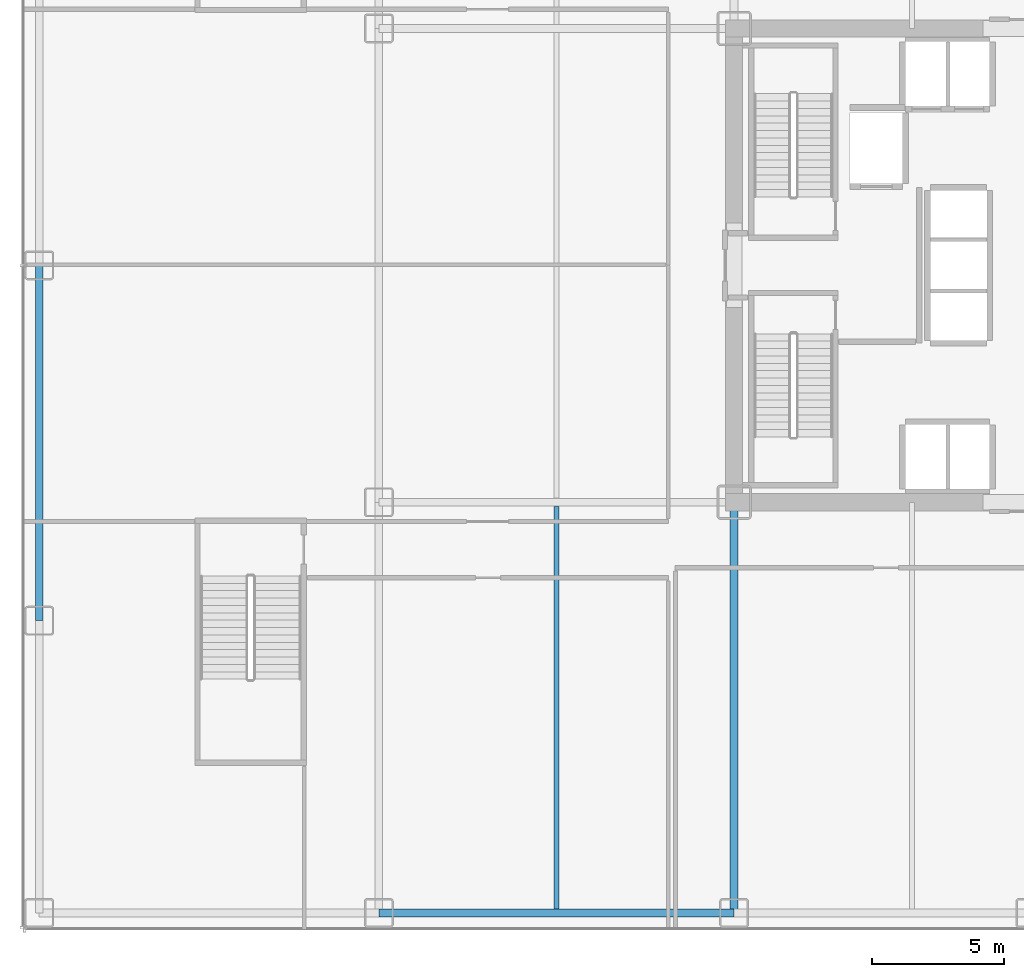
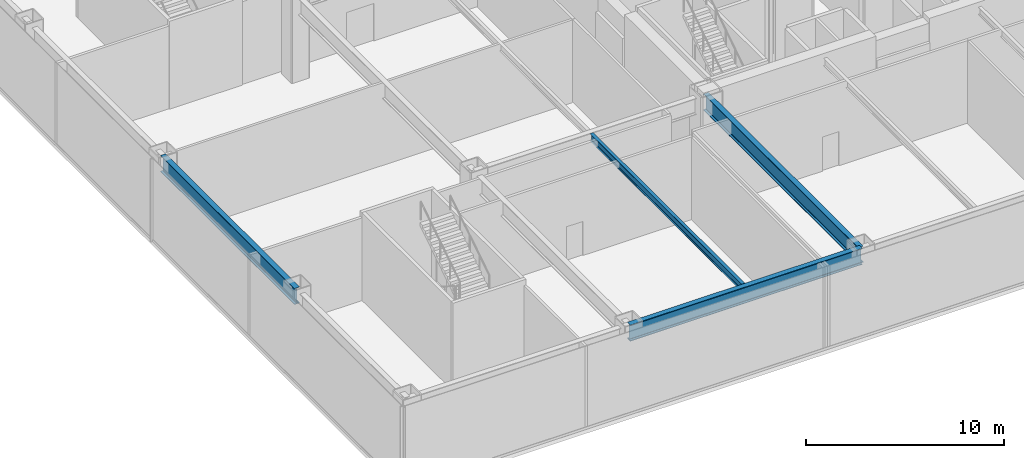
# One storey, part 3 of 24: 4 beams.
"""IFC4 building model written with IfcOpenShell, lengths in metres."""

from ifc_helpers import new_model, si_unit, direction, frame, origin, origin_2d, place, context, subcontext, project, spatial, i_section, extrude, source, transform, mapped, material, material_profile, profile_set, type_object, element, save


model = new_model("IFC4")

# Units and contexts
model_context = context("Model", 3, precision=1e-05, world=origin(), true_north=direction((0.0, 1.0)))
body_context = subcontext(model_context, "Body", "Model", "MODEL_VIEW")
ifc_project = project(units=[si_unit("LENGTHUNIT", "METRE"), si_unit("AREAUNIT", "SQUARE_METRE"), si_unit("VOLUMEUNIT", "CUBIC_METRE"), si_unit("PLANEANGLEUNIT", "RADIAN"), si_unit("MASSUNIT", "GRAM", prefix="KILO")], contexts=[model_context])

# Site, building, storey
site_placement = place(None, origin())
site = spatial("IfcSite", under=ifc_project, at=site_placement, CompositionType="ELEMENT")
building_placement = place(site_placement, origin())
building = spatial("IfcBuilding", under=site, at=building_placement, Name="Nefas-Gora Pilgrimage Tower", CompositionType="ELEMENT")
storey_placement = place(building_placement, frame((0.0, 0.0, 16.800048828125)))
storey = spatial("IfcBuildingStorey", under=building, at=storey_placement, Name="L03", CompositionType="ELEMENT", Elevation=16.800048828125)

# Beams
ifc_material_1 = material(Name="Steel S355", Category="steel")
ifc_material_profile_1 = material_profile(ifc_material_1, i_section(OverallWidth=0.18994140625, OverallDepth=0.449951171875, WebThickness=0.009521484375, FlangeThickness=0.0146484375, FilletRadius=0.02099609375, at=origin_2d()), Name="IPE 450")
ifc_profile_set_1 = profile_set([ifc_material_profile_1], Name="Steel S355")
beam_type_1 = type_object("IfcBeamType", Name="BM-JST-IPE450", PredefinedType="JOIST", material=ifc_profile_set_1)
shared_shape_1 = source(origin(), body_context, "Body", "SweptSolid", [
    extrude(i_section(OverallWidth=0.18994140625, OverallDepth=0.449951171875, WebThickness=0.009521484375, FlangeThickness=0.0146484375, FilletRadius=0.02099609375, at=origin_2d()), origin(), (0.0, 0.0, 1.0), 15.2880859375),
])
beam_1_placement = place(storey_placement, frame((-18.0, -24.444091796875, 4.875), z_axis=(0.0, 1.0, 0.0), x_axis=(-1.0, 0.0, 0.0)))
element("IfcBeam", 1, at=beam_1_placement, inside=storey, type_object=beam_type_1, Name="L03 J-01 beam", PredefinedType="JOIST", context=body_context, shape_type="MappedRepresentation", body=[
    mapped(shared_shape_1, transform((0.0, 0.0, 0.0), x_axis=(1.0, 0.0, 0.0), y_axis=(0.0, 1.0, 0.0), z_axis=(0.0, 0.0, 1.0), scale=1.0)),
])
ifc_material_2 = material(Name="Steel S460", Category="steel")
ifc_material_profile_2 = material_profile(ifc_material_2, i_section(OverallWidth=0.300048828125, OverallDepth=1.0, WebThickness=0.01904296875, FlangeThickness=0.035888671875, FilletRadius=0.030029296875, at=origin_2d()), Name="HEB 1000")
ifc_profile_set_2 = profile_set([ifc_material_profile_2], Name="Steel S460")
beam_type_2 = type_object("IfcBeamType", Name="BM-POD-HEB1000E", PredefinedType="BEAM", material=ifc_profile_set_2)
shared_shape_2 = source(origin(), body_context, "Body", "SweptSolid", [
    extrude(i_section(OverallWidth=0.300048828125, OverallDepth=1.0, WebThickness=0.01904296875, FlangeThickness=0.035888671875, FilletRadius=0.030029296875, at=origin_2d()), origin(), (0.0, 0.0, 1.0), 13.5),
])
for number, where, z_axis, x_axis, name in (
    (2, (-24.75, -24.60009765625, 4.599853515625), (1.0, 0.0, 0.0), (0.0, 1.0, 0.0), "L03 PG-01E beam"),
    (3, (-37.64990234375, -13.5, 4.599853515625), (0.0, 1.0, 0.0), (-1.0, 0.0, 0.0), "L03 PG-01E beam"),
):
    element("IfcBeam", number, at=place(storey_placement, frame(where, z_axis=z_axis, x_axis=x_axis)), inside=storey, type_object=beam_type_2, Name=name, PredefinedType="BEAM", context=body_context, shape_type="MappedRepresentation", body=[
        mapped(shared_shape_2, transform((0.0, 0.0, 0.0), x_axis=(1.0, 0.0, 0.0), y_axis=(0.0, 1.0, 0.0), z_axis=(0.0, 0.0, 1.0), scale=1.0)),
    ])
ifc_material_profile_3 = material_profile(ifc_material_2, i_section(OverallWidth=0.300048828125, OverallDepth=1.0, WebThickness=0.01904296875, FlangeThickness=0.035888671875, FilletRadius=0.030029296875, at=origin_2d()), Name="HEB 1000")
ifc_profile_set_3 = profile_set([ifc_material_profile_3], Name="Steel S460")
beam_type_3 = type_object("IfcBeamType", Name="BM-POD-HEB1000", PredefinedType="BEAM", material=ifc_profile_set_3)
shared_shape_3 = source(origin(), body_context, "Body", "SweptSolid", [
    extrude(i_section(OverallWidth=0.300048828125, OverallDepth=1.0, WebThickness=0.01904296875, FlangeThickness=0.035888671875, FilletRadius=0.030029296875, at=origin_2d()), origin(), (0.0, 0.0, 1.0), 15.60009765625),
])
beam_2_placement = place(storey_placement, frame((-11.25, -24.60009765625, 4.599853515625), z_axis=(0.0, 1.0, 0.0), x_axis=(-1.0, 0.0, 0.0)))
element("IfcBeam", 4, at=beam_2_placement, inside=storey, type_object=beam_type_3, Name="L03 PG-01 beam", PredefinedType="BEAM", context=body_context, shape_type="MappedRepresentation", body=[
    mapped(shared_shape_3, transform((0.0, 0.0, 0.0), x_axis=(1.0, 0.0, 0.0), y_axis=(0.0, 1.0, 0.0), z_axis=(0.0, 0.0, 1.0), scale=1.0)),
])

save(model, "model.ifc")
